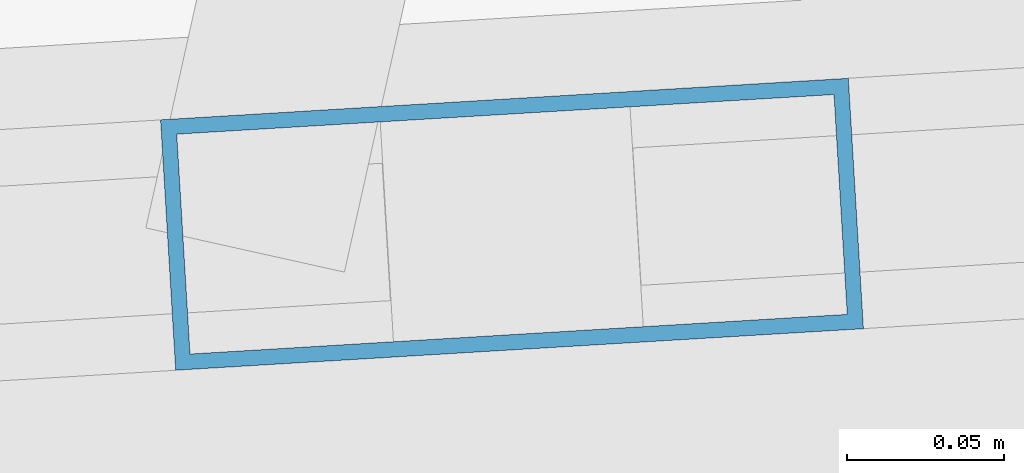
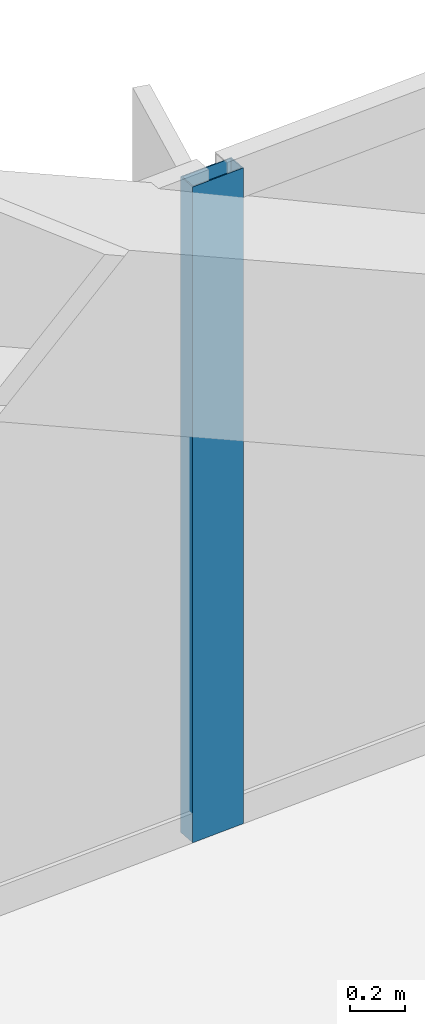
# One storey, part 20 of 34: 1 member, 1 element without a shape of its own.
"""IFC4 building model written with IfcOpenShell, lengths in metres."""

from ifc_helpers import new_model, si_unit, direction, frame, origin, origin_2d, place, context, subcontext, project, spatial, hollow_rectangle, extrude, material, material_profile, profile_set, type_object, element, aggregate, save


model = new_model("IFC4")

# Units and contexts
model_context = context("Model", 3, precision=1e-05, world=origin(), true_north=direction((0.0, 1.0)))
body_context = subcontext(model_context, "Body", "Model", "MODEL_VIEW")
ifc_project = project(units=[si_unit("LENGTHUNIT", "METRE"), si_unit("AREAUNIT", "SQUARE_METRE"), si_unit("VOLUMEUNIT", "CUBIC_METRE"), si_unit("PLANEANGLEUNIT", "RADIAN"), si_unit("MASSUNIT", "GRAM", prefix="KILO")], contexts=[model_context])

# Site, building, storey
site_placement = place(None, origin())
site = spatial("IfcSite", under=ifc_project, at=site_placement, CompositionType="ELEMENT")
building_placement = place(site_placement, origin())
building = spatial("IfcBuilding", under=site, at=building_placement, Name="Haldenkirk Collegiate Tower", CompositionType="ELEMENT")
storey_placement = place(building_placement, frame((0.0, 0.0, 40.199951171875)))
storey = spatial("IfcBuildingStorey", under=building, at=storey_placement, Name="L08", CompositionType="ELEMENT", Elevation=40.199951171875)

# Curtain wall, member
ifc_material = material(Name="Anodised architectural bronze aluminium", Category="aluminium")
curtain_wall_type = type_object("IfcCurtainWallType", Name="CW-SYS1-CONVEX-LOW", PredefinedType="USERDEFINED", material=ifc_material)
curtain_wall_placement = place(storey_placement, origin())
curtain_wall = element("IfcCurtainWall", 1, at=curtain_wall_placement, inside=storey, type_object=curtain_wall_type, Name="L08 Lower tower convex bronze-framed unitised curtain wall", ObjectType="UNITISED CURTAIN WALL", PredefinedType="USERDEFINED")
ifc_material_profile = material_profile(ifc_material, hollow_rectangle(XDim=0.080078125, YDim=0.219970703125, WallThickness=0.0048828125, at=origin_2d()), Name="CW-MUL-1A")
ifc_profile_set = profile_set([ifc_material_profile], Name="Anodised architectural bronze aluminium")
member_type = type_object("IfcMemberType", Name="CW-MUL-1A", PredefinedType="MULLION", material=ifc_profile_set)
member_placement = place(storey_placement, frame((34.4462890625, 51.773193359375, 0.0), z_axis=(0.0, 0.0, 1.0), x_axis=(-0.060175833924, 0.998187792458, 0.0)))
member = element("IfcMember", 2, at=member_placement, type_object=member_type, Name="CW-1A mullion 3", PredefinedType="MULLION", context=body_context, shape_type="SweptSolid", body=[
    extrude(hollow_rectangle(XDim=0.080078125, YDim=0.219970703125, WallThickness=0.0048828125, at=origin_2d()), origin(), (0.0, 0.0, 1.0), 2.89111328125),
])
aggregate(curtain_wall, [member])

save(model, "model.ifc")
